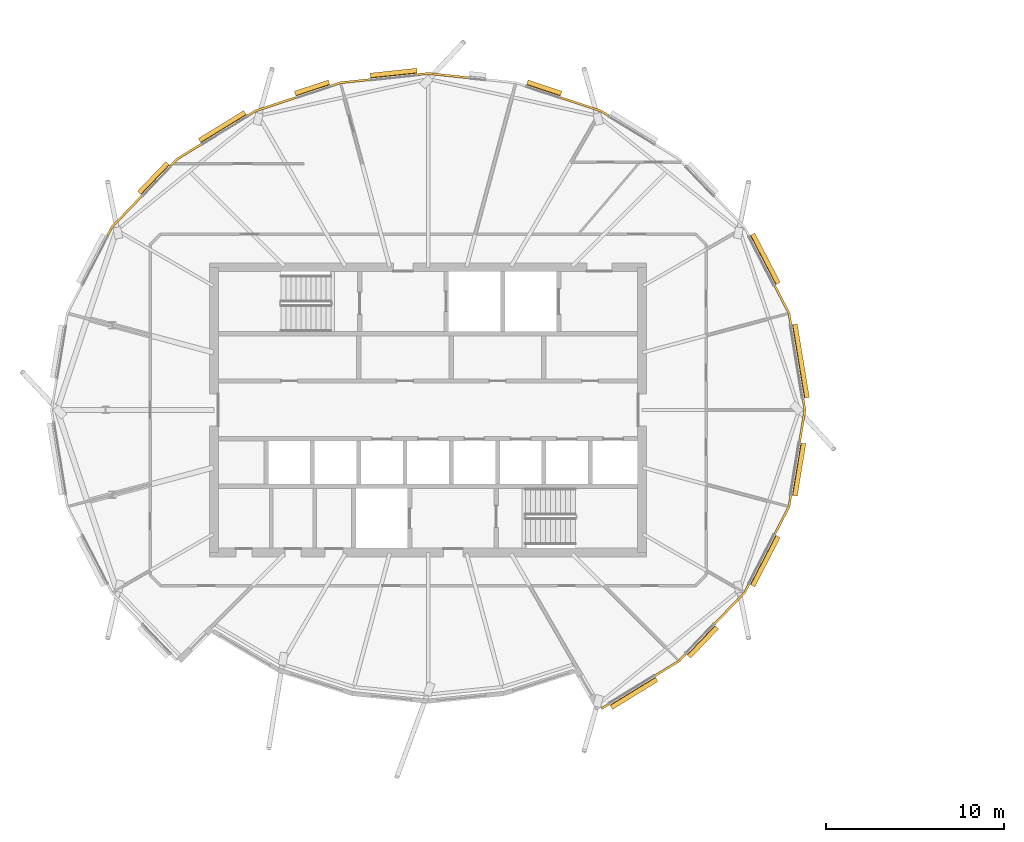
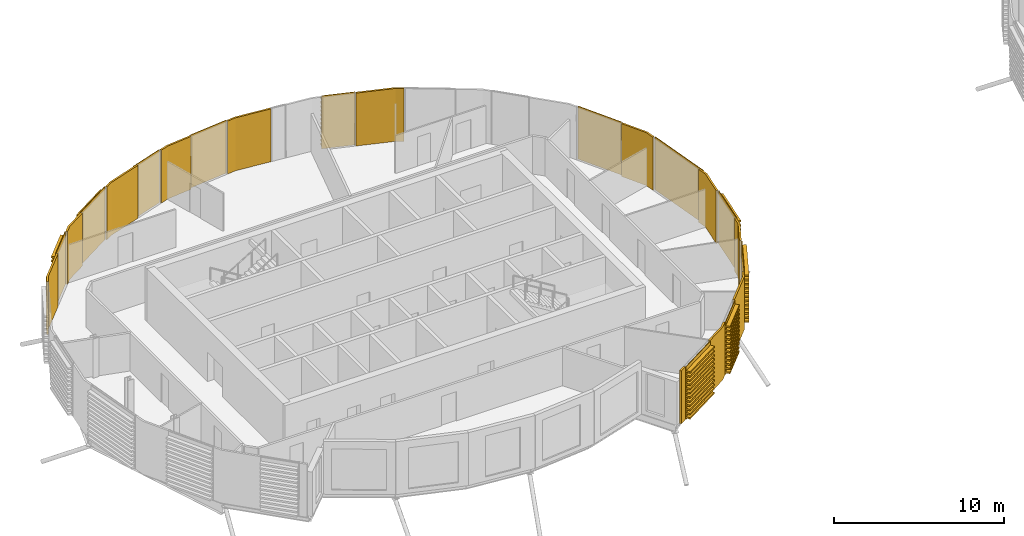
# One storey, part 37 of 41: 23 coverings.
"""IFC4 building model written with IfcOpenShell, lengths in metres."""

import ifcopenshell
import ifcopenshell.guid

model = None  # the IFC model being written
_history = None  # IfcOwnerHistory: only IFC2X3 demands one
_inside = {}  # id of a spatial element -> (the spatial element, [elements in it])
_under = {}  # id of a project, library or spatial element -> (it, [spatial elements below it])
_declared = {}  # id of a project -> (the project, [libraries it declares])
_typed = {}  # id of a type object -> (the type object, [elements of that type])
_made_of = {}  # id of a material, layer set ... -> (it, [elements and type objects made of it])


def new_model(schema):
    """Start an empty IFC model of exactly this schema.

    Asked for "IFC4X3", IfcOpenShell would pick the latest addendum, in which some entities
    have other attributes; the version numbers below select the first issue.
    IFC2X3 requires an IfcOwnerHistory on every rooted entity: one is made here for all.
    """
    global model, _history
    if schema == "IFC4X3":
        model = ifcopenshell.file(schema_version=(4, 3, 0, 0))
    else:
        model = ifcopenshell.file(schema=schema)
    _inside.clear()
    _under.clear()
    _declared.clear()
    _typed.clear()
    _made_of.clear()
    _history = None
    if model.schema == "IFC2X3":
        org = make("IfcOrganization", Name="unknown")
        user = make(
            "IfcPersonAndOrganization",
            ThePerson=make("IfcPerson", FamilyName="unknown"),
            TheOrganization=org,
        )
        app = make(
            "IfcApplication",
            ApplicationDeveloper=org,
            Version="unknown",
            ApplicationFullName="unknown",
            ApplicationIdentifier="unknown",
        )
        _history = make(
            "IfcOwnerHistory",
            OwningUser=user,
            OwningApplication=app,
            ChangeAction="ADDED",
            CreationDate=0,
        )
    return model


def make(cls, **values):
    """One entity of the class cls with the attributes given. An attribute that is None is left unset."""
    return model.create_entity(
        cls, **{name: value for name, value in values.items() if value is not None}
    )


def rooted(cls, **values):
    """An entity with a GlobalId (a new one), such as an element, a storey or a relation."""
    return make(cls, GlobalId=ifcopenshell.guid.new(), OwnerHistory=_history, **values)


def si_unit(unit_type, name, prefix=None):
    """IfcSIUnit, for example si_unit("LENGTHUNIT", "METRE", prefix="MILLI")."""
    return make("IfcSIUnit", UnitType=unit_type, Prefix=prefix, Name=name)


def assignment(units):
    """IfcUnitAssignment: the units of a project."""
    return None if units is None else make("IfcUnitAssignment", Units=units)


def point(xyz):
    """IfcCartesianPoint."""
    return None if xyz is None else make("IfcCartesianPoint", Coordinates=xyz)


def direction(xyz):
    """IfcDirection."""
    return None if xyz is None else make("IfcDirection", DirectionRatios=xyz)


def frame(location, z_axis=None, x_axis=None):
    """IfcAxis2Placement3D, a coordinate frame: its origin and axes. An axis left out is left unset."""
    return make(
        "IfcAxis2Placement3D",
        Location=point(location),
        Axis=direction(z_axis),
        RefDirection=direction(x_axis),
    )


def origin():
    """The frame at (0, 0, 0) with its axes left unset."""
    return frame((0.0, 0.0, 0.0))


def place(relative_to, where):
    """IfcLocalPlacement: puts the frame where relative to a parent placement (None: the world)."""
    return make(
        "IfcLocalPlacement", PlacementRelTo=relative_to, RelativePlacement=where
    )


def context(
    kind, dimensions, precision=None, world=None, true_north=None, identifier=None
):
    """IfcGeometricRepresentationContext, for example the 3D "Model" context."""
    return make(
        "IfcGeometricRepresentationContext",
        ContextIdentifier=identifier,
        ContextType=kind,
        CoordinateSpaceDimension=dimensions,
        Precision=precision,
        WorldCoordinateSystem=world,
        TrueNorth=true_north,
    )


def subcontext(parent, identifier, kind, view, scale=None):
    """IfcGeometricRepresentationSubContext, for example "Body" below "Model"."""
    return make(
        "IfcGeometricRepresentationSubContext",
        ContextIdentifier=identifier,
        ContextType=kind,
        ParentContext=parent,
        TargetScale=scale,
        TargetView=view,
    )


def project(units=None, contexts=None):
    """IfcProject with its units and contexts."""
    return rooted(
        "IfcProject",
        Name="project",
        RepresentationContexts=contexts,
        UnitsInContext=assignment(units),
    )


def spatial(cls, under=None, at=None, **own):
    """A site, building, storey or space (cls), placed at a placement, below another one or the project."""
    s = rooted(cls, ObjectPlacement=at, **own)
    if under is not None:
        _under.setdefault(under.id(), (under, []))[1].append(s)
    return s


def polyline(points):
    """IfcPolyline through the points."""
    return make("IfcPolyline", Points=[point(p) for p in points])


def outline(outer, holes=None, kind="AREA"):
    """IfcArbitraryClosedProfileDef: a profile drawn as a closed curve; with holes, ...WithVoids."""
    if holes is None:
        return make("IfcArbitraryClosedProfileDef", ProfileType=kind, OuterCurve=outer)
    return make(
        "IfcArbitraryProfileDefWithVoids",
        ProfileType=kind,
        OuterCurve=outer,
        InnerCurves=holes,
    )


def extrude(swept, where, along, depth):
    """IfcExtrudedAreaSolid: the profile swept, set in the frame where, extruded along a direction by depth."""
    return make(
        "IfcExtrudedAreaSolid",
        SweptArea=swept,
        Position=where,
        ExtrudedDirection=direction(along),
        Depth=depth,
    )


def shape(context_of_items, identifier, shape_type, items):
    """IfcShapeRepresentation: the items that make up one representation, for example the "Body"."""
    return make(
        "IfcShapeRepresentation",
        ContextOfItems=context_of_items,
        RepresentationIdentifier=identifier,
        RepresentationType=shape_type,
        Items=items,
    )


def material(Name=None, Category=None):
    """IfcMaterial."""
    return make("IfcMaterial", Name=Name, Category=Category)


def layer(
    of_material, thickness, ventilated=None, Name=None, Category=None, Priority=None
):
    """IfcMaterialLayer: one layer of a wall or slab, of a material (None: an air gap)."""
    return make(
        "IfcMaterialLayer",
        Material=of_material,
        LayerThickness=thickness,
        IsVentilated=ventilated,
        Name=Name,
        Category=Category,
        Priority=Priority,
    )


def layer_set(layers, Name=None):
    """IfcMaterialLayerSet."""
    return make("IfcMaterialLayerSet", MaterialLayers=layers, LayerSetName=Name)


def material_profile(
    of_material, cross_section, Name=None, Category=None, Priority=None
):
    """IfcMaterialProfile: a cross section and its material."""
    return make(
        "IfcMaterialProfile",
        Name=Name,
        Material=of_material,
        Profile=cross_section,
        Priority=Priority,
        Category=Category,
    )


def profile_set(profiles, Name=None, composite=None):
    """IfcMaterialProfileSet."""
    return make(
        "IfcMaterialProfileSet",
        Name=Name,
        MaterialProfiles=profiles,
        CompositeProfile=composite,
    )


def made_of(thing, what):
    """Note that an element or type object is made of a material, layer set ...; save() writes the relation."""
    if what is not None:
        _made_of.setdefault(what.id(), (what, []))[1].append(thing)
    return thing


def type_object(cls, material=None, **own):
    """A type object (cls), such as IfcWallType, which elements share."""
    return made_of(rooted(cls, **own), material)


def element(
    cls,
    number,
    at=None,
    inside=None,
    cuts=None,
    type_object=None,
    material=None,
    context=None,
    identifier="Body",
    shape_type=None,
    held_by="IfcProductDefinitionShape",
    body=None,
    shapes=None,
    **own,
):
    """One element of the class cls, such as IfcWall. Its Tag is "e" and its number.

    at: its placement. inside: the storey or other place that contains it. cuts: it is an
    opening in that element (IfcRelVoidsElement). A single representation is given by context,
    identifier, shape_type and body (its items); several are given by shapes. held_by: the class
    of the entity that holds the representations. save() writes the other relations.
    """
    e = rooted(cls, Tag="e%d" % number, ObjectPlacement=at, **own)
    if body is not None:
        shapes = [shape(context, identifier, shape_type, body)]
    if shapes is not None:
        e.Representation = make(held_by, Representations=shapes)
    if inside is not None:
        _inside.setdefault(inside.id(), (inside, []))[1].append(e)
    if cuts is not None:
        rooted(
            "IfcRelVoidsElement", RelatingBuildingElement=cuts, RelatedOpeningElement=e
        )
    if type_object is not None:
        _typed.setdefault(type_object.id(), (type_object, []))[1].append(e)
    return made_of(e, material)


def aggregate(whole, parts):
    """IfcRelAggregates: a whole, such as a stair, and the parts it consists of."""
    return rooted("IfcRelAggregates", RelatingObject=whole, RelatedObjects=parts)


def save(model, path):
    """Write the relations noted so far, then the file.

    IfcRelAggregates (storeys below a building ...), IfcRelContainedInSpatialStructure (elements
    in a storey), IfcRelDefinesByType, IfcRelAssociatesMaterial and IfcRelDeclares: one each for
    every whole, place, type object, material and project.
    """
    for whole, parts in _under.values():
        aggregate(whole, parts)
    for where, things in _inside.values():
        rooted(
            "IfcRelContainedInSpatialStructure",
            RelatedElements=things,
            RelatingStructure=where,
        )
    for kind, things in _typed.values():
        rooted("IfcRelDefinesByType", RelatedObjects=things, RelatingType=kind)
    for what, things in _made_of.values():
        rooted("IfcRelAssociatesMaterial", RelatedObjects=things, RelatingMaterial=what)
    for by, libraries in _declared.values():
        rooted("IfcRelDeclares", RelatingContext=by, RelatedDefinitions=libraries)
    model.write(path)


model = new_model("IFC4")

# Units and contexts
model_context = context("Model", 3, precision=1e-05, world=origin(), true_north=direction((0.0, 1.0)))
body_context = subcontext(model_context, "Body", "Model", "MODEL_VIEW")
ifc_project = project(units=[si_unit("LENGTHUNIT", "METRE"), si_unit("AREAUNIT", "SQUARE_METRE"), si_unit("VOLUMEUNIT", "CUBIC_METRE"), si_unit("PLANEANGLEUNIT", "RADIAN"), si_unit("MASSUNIT", "GRAM", prefix="KILO")], contexts=[model_context])

# Site, building, storey
site_placement = place(None, origin())
site = spatial("IfcSite", under=ifc_project, at=site_placement, CompositionType="ELEMENT")
building_placement = place(site_placement, origin())
building = spatial("IfcBuilding", under=site, at=building_placement, Name="Rimbun Link Towers", CompositionType="ELEMENT")
storey_placement = place(building_placement, frame((0.0, 0.0, 214.300048828125)))
storey = spatial("IfcBuildingStorey", under=building, at=storey_placement, Name="L52", CompositionType="ELEMENT", Elevation=214.300048828125)

# Coverings
ifc_material_1 = material(Name="Terracotta", Category="masonry")
ifc_layer = layer(ifc_material_1, 0.1201171875)
ifc_layer_set = layer_set([ifc_layer], Name="LINK PIER terracotta cladding 120")
covering_type_1 = type_object("IfcCoveringType", Name="LINK PIER terracotta cladding 120", PredefinedType="CLADDING", material=ifc_layer_set)
covering_1_placement = place(storey_placement, origin())
element("IfcCovering", 1, at=covering_1_placement, inside=storey, type_object=covering_type_1, Name="LINK PIER cladding", PredefinedType="CLADDING", context=body_context, shape_type="SweptSolid", body=[
    extrude(outline(polyline([(-10.790283203125, 0.61181640625), (-10.689697265625, 0.0), (-10.985107421875, -1.7958984375), (-10.86669921875, -1.8154296875), (-10.568115234375, 0.0), (-10.671875, 0.63134765625), (-10.790283203125, 0.61181640625)])), origin(), (0.0, 0.0, 1.0), 3.800048828125),
])
covering_2_placement = place(storey_placement, origin())
element("IfcCovering", 2, at=covering_2_placement, inside=storey, type_object=covering_type_1, Name="LINK PIER cladding", PredefinedType="CLADDING", context=body_context, shape_type="SweptSolid", body=[
    extrude(outline(polyline([(-12.369140625, 6.9326171875), (-11.57861328125, 5.40478515625), (-11.47802734375, 4.793212890625), (-11.359619140625, 4.8125), (-11.46337890625, 5.443115234375), (-12.262451171875, 6.987548828125), (-12.369140625, 6.9326171875)])), origin(), (0.0, 0.0, 1.0), 3.800048828125),
])
covering_3_placement = place(storey_placement, origin())
element("IfcCovering", 3, at=covering_3_placement, inside=storey, type_object=covering_type_1, Name="LINK PIER cladding", PredefinedType="CLADDING", context=body_context, shape_type="SweptSolid", body=[
    extrude(outline(polyline([(-24.35009765625, 17.459228515625), (-22.100341796875, 16.713623046875), (-21.6572265625, 16.441650390625), (-21.594482421875, 16.5439453125), (-22.04931640625, 16.8232421875), (-24.312255859375, 17.5732421875), (-24.35009765625, 17.459228515625)])), origin(), (0.0, 0.0, 1.0), 3.800048828125),
])
covering_4_placement = place(storey_placement, origin())
element("IfcCovering", 4, at=covering_4_placement, inside=storey, type_object=covering_type_1, Name="LINK PIER cladding", PredefinedType="CLADDING", context=body_context, shape_type="SweptSolid", body=[
    extrude(outline(polyline([(-32.31689453125, 18.743896484375), (-31.75, 18.8037109375), (-29.492431640625, 18.56591796875), (-29.47998046875, 18.685302734375), (-31.75, 18.92431640625), (-32.329345703125, 18.86328125), (-32.31689453125, 18.743896484375)])), origin(), (0.0, 0.0, 1.0), 3.800048828125),
])
covering_5_placement = place(storey_placement, origin())
element("IfcCovering", 5, at=covering_5_placement, inside=storey, type_object=covering_type_1, Name="LINK PIER cladding", PredefinedType="CLADDING", context=body_context, shape_type="SweptSolid", body=[
    extrude(outline(polyline([(-37.191162109375, 18.1083984375), (-36.650146484375, 18.28759765625), (-34.989501953125, 18.462646484375), (-35.001953125, 18.58203125), (-36.675537109375, 18.40576171875), (-37.22900390625, 18.222412109375), (-37.191162109375, 18.1083984375)])), origin(), (0.0, 0.0, 1.0), 3.800048828125),
])
covering_6_placement = place(storey_placement, origin())
element("IfcCovering", 6, at=covering_6_placement, inside=storey, type_object=covering_type_1, Name="LINK PIER cladding", PredefinedType="CLADDING", context=body_context, shape_type="SweptSolid", body=[
    extrude(outline(polyline([(-41.8427734375, 16.441650390625), (-41.399658203125, 16.713623046875), (-39.14990234375, 17.459228515625), (-39.187744140625, 17.5732421875), (-41.45068359375, 16.8232421875), (-41.905517578125, 16.5439453125), (-41.8427734375, 16.441650390625)])), origin(), (0.0, 0.0, 1.0), 3.800048828125),
])
covering_7_placement = place(storey_placement, origin())
element("IfcCovering", 7, at=covering_7_placement, inside=storey, type_object=covering_type_1, Name="LINK PIER cladding", PredefinedType="CLADDING", context=body_context, shape_type="SweptSolid", body=[
    extrude(outline(polyline([(-46.13623046875, 13.651123046875), (-45.7763671875, 14.0263671875), (-44.4384765625, 14.847900390625), (-44.501220703125, 14.9501953125), (-45.852294921875, 14.12060546875), (-46.222900390625, 13.734130859375), (-46.13623046875, 13.651123046875)])), origin(), (0.0, 0.0, 1.0), 3.800048828125),
])
covering_8_placement = place(storey_placement, origin())
element("IfcCovering", 8, at=covering_8_placement, inside=storey, type_object=covering_type_1, Name="LINK PIER cladding", PredefinedType="CLADDING", context=body_context, shape_type="SweptSolid", body=[
    extrude(outline(polyline([(-49.673828125, 9.74853515625), (-49.434814453125, 10.21044921875), (-47.760009765625, 11.957275390625), (-47.8466796875, 12.040283203125), (-49.533447265625, 10.281005859375), (-49.780517578125, 9.8037109375), (-49.673828125, 9.74853515625)])), origin(), (0.0, 0.0, 1.0), 3.800048828125),
])
covering_9_placement = place(storey_placement, origin())
element("IfcCovering", 9, at=covering_9_placement, inside=storey, type_object=covering_type_1, Name="LINK PIER cladding", PredefinedType="CLADDING", context=body_context, shape_type="SweptSolid", body=[
    extrude(outline(polyline([(-21.6572265625, -16.441650390625), (-22.07470703125, -16.697998046875), (-22.011962890625, -16.80029296875), (-21.594482421875, -16.5439453125), (-21.6572265625, -16.441650390625)])), origin(), (0.0, 0.0, 1.0), 3.800048828125),
])
covering_10_placement = place(storey_placement, origin())
element("IfcCovering", 10, at=covering_10_placement, inside=storey, type_object=covering_type_1, Name="LINK PIER cladding", PredefinedType="CLADDING", context=body_context, shape_type="SweptSolid", body=[
    extrude(outline(polyline([(-17.36376953125, -13.651123046875), (-17.7236328125, -14.0263671875), (-19.0615234375, -14.847900390625), (-18.998779296875, -14.9501953125), (-17.647705078125, -14.12060546875), (-17.277099609375, -13.734130859375), (-17.36376953125, -13.651123046875)])), origin(), (0.0, 0.0, 1.0), 3.800048828125),
])
covering_11_placement = place(storey_placement, origin())
element("IfcCovering", 11, at=covering_11_placement, inside=storey, type_object=covering_type_1, Name="LINK PIER cladding", PredefinedType="CLADDING", context=body_context, shape_type="SweptSolid", body=[
    extrude(outline(polyline([(-13.826171875, -9.74853515625), (-14.065185546875, -10.21044921875), (-15.739990234375, -11.957275390625), (-15.6533203125, -12.040283203125), (-13.966552734375, -10.281005859375), (-13.719482421875, -9.8037109375), (-13.826171875, -9.74853515625)])), origin(), (0.0, 0.0, 1.0), 3.800048828125),
])
covering_12_placement = place(storey_placement, origin())
element("IfcCovering", 12, at=covering_12_placement, inside=storey, type_object=covering_type_1, Name="LINK PIER cladding", PredefinedType="CLADDING", context=body_context, shape_type="SweptSolid", body=[
    extrude(outline(polyline([(-11.47802734375, -4.793212890625), (-11.57861328125, -5.40478515625), (-12.369140625, -6.9326171875), (-12.262451171875, -6.987548828125), (-11.46337890625, -5.443115234375), (-11.359619140625, -4.8125), (-11.47802734375, -4.793212890625)])), origin(), (0.0, 0.0, 1.0), 3.800048828125),
])
ifc_material_2 = material(Name="Terracotta", Category="masonry")
ifc_material_profile = material_profile(ifc_material_2, outline(polyline([(0.123046875, 0.0), (0.1630859375, 0.0), (0.1630859375, 0.10009765625), (0.423095703125, 0.10009765625), (0.423095703125, 0.219970703125), (0.1630859375, 0.219970703125), (0.1630859375, 0.39990234375), (0.423095703125, 0.39990234375), (0.423095703125, 0.52001953125), (0.1630859375, 0.52001953125), (0.1630859375, 0.699951171875), (0.423095703125, 0.699951171875), (0.423095703125, 0.820068359375), (0.1630859375, 0.820068359375), (0.1630859375, 1.0), (0.423095703125, 1.0), (0.423095703125, 1.1201171875), (0.1630859375, 1.1201171875), (0.1630859375, 1.300048828125), (0.423095703125, 1.300048828125), (0.423095703125, 1.419921875), (0.1630859375, 1.419921875), (0.1630859375, 1.60009765625), (0.423095703125, 1.60009765625), (0.423095703125, 1.719970703125), (0.1630859375, 1.719970703125), (0.1630859375, 1.89990234375), (0.423095703125, 1.89990234375), (0.423095703125, 2.02001953125), (0.1630859375, 2.02001953125), (0.1630859375, 2.199951171875), (0.423095703125, 2.199951171875), (0.423095703125, 2.320068359375), (0.1630859375, 2.320068359375), (0.1630859375, 2.5), (0.423095703125, 2.5), (0.423095703125, 2.6201171875), (0.1630859375, 2.6201171875), (0.1630859375, 2.800048828125), (0.423095703125, 2.800048828125), (0.423095703125, 2.919921875), (0.1630859375, 2.919921875), (0.1630859375, 3.10009765625), (0.423095703125, 3.10009765625), (0.423095703125, 3.219970703125), (0.1630859375, 3.219970703125), (0.1630859375, 3.39990234375), (0.423095703125, 3.39990234375), (0.423095703125, 3.52001953125), (0.1630859375, 3.52001953125), (0.1630859375, 3.800048828125), (0.123046875, 3.800048828125), (0.123046875, 0.0)])), Name="BAGUETTE 120X300")
ifc_profile_set = profile_set([ifc_material_profile], Name="Terracotta")
covering_type_2 = type_object("IfcCoveringType", Name="TERRACOTTA BAGUETTE 120X300 H3800", PredefinedType="CLADDING", material=ifc_profile_set)
covering_13_placement = place(storey_placement, frame((-11.47314453125, 4.763427734375, 0.0), z_axis=(0.162294685122, -0.986742334747, 0.0), x_axis=(0.986742334747, 0.162294685122, 0.0)))
element("IfcCovering", 13, at=covering_13_placement, inside=storey, type_object=covering_type_2, Name="TERRACOTTA BAGUETTE", PredefinedType="CLADDING", context=body_context, shape_type="SweptSolid", body=[
    extrude(outline(polyline([(0.123046875, 0.0), (0.1630859375, 0.0), (0.1630859375, 0.10009765625), (0.423095703125, 0.10009765625), (0.423095703125, 0.219970703125), (0.1630859375, 0.219970703125), (0.1630859375, 0.39990234375), (0.423095703125, 0.39990234375), (0.423095703125, 0.52001953125), (0.1630859375, 0.52001953125), (0.1630859375, 0.699951171875), (0.423095703125, 0.699951171875), (0.423095703125, 0.820068359375), (0.1630859375, 0.820068359375), (0.1630859375, 1.0), (0.423095703125, 1.0), (0.423095703125, 1.1201171875), (0.1630859375, 1.1201171875), (0.1630859375, 1.300048828125), (0.423095703125, 1.300048828125), (0.423095703125, 1.419921875), (0.1630859375, 1.419921875), (0.1630859375, 1.60009765625), (0.423095703125, 1.60009765625), (0.423095703125, 1.719970703125), (0.1630859375, 1.719970703125), (0.1630859375, 1.89990234375), (0.423095703125, 1.89990234375), (0.423095703125, 2.02001953125), (0.1630859375, 2.02001953125), (0.1630859375, 2.199951171875), (0.423095703125, 2.199951171875), (0.423095703125, 2.320068359375), (0.1630859375, 2.320068359375), (0.1630859375, 2.5), (0.423095703125, 2.5), (0.423095703125, 2.6201171875), (0.1630859375, 2.6201171875), (0.1630859375, 2.800048828125), (0.423095703125, 2.800048828125), (0.423095703125, 2.919921875), (0.1630859375, 2.919921875), (0.1630859375, 3.10009765625), (0.423095703125, 3.10009765625), (0.423095703125, 3.219970703125), (0.1630859375, 3.219970703125), (0.1630859375, 3.39990234375), (0.423095703125, 3.39990234375), (0.423095703125, 3.52001953125), (0.1630859375, 3.52001953125), (0.1630859375, 3.800048828125), (0.123046875, 3.800048828125), (0.123046875, 0.0)])), origin(), (0.0, 0.0, 1.0), 4.177490234375),
])
covering_14_placement = place(storey_placement, frame((-13.812255859375, 9.721923828125, 0.0), z_axis=(0.459540350584, -0.888156892776, 0.0), x_axis=(0.888156892776, 0.459540350584, 0.0)))
element("IfcCovering", 14, at=covering_14_placement, inside=storey, type_object=covering_type_2, Name="TERRACOTTA BAGUETTE", PredefinedType="CLADDING", context=body_context, shape_type="SweptSolid", body=[
    extrude(outline(polyline([(0.123046875, 0.0), (0.1630859375, 0.0), (0.1630859375, 0.10009765625), (0.423095703125, 0.10009765625), (0.423095703125, 0.219970703125), (0.1630859375, 0.219970703125), (0.1630859375, 0.39990234375), (0.423095703125, 0.39990234375), (0.423095703125, 0.52001953125), (0.1630859375, 0.52001953125), (0.1630859375, 0.699951171875), (0.423095703125, 0.699951171875), (0.423095703125, 0.820068359375), (0.1630859375, 0.820068359375), (0.1630859375, 1.0), (0.423095703125, 1.0), (0.423095703125, 1.1201171875), (0.1630859375, 1.1201171875), (0.1630859375, 1.300048828125), (0.423095703125, 1.300048828125), (0.423095703125, 1.419921875), (0.1630859375, 1.419921875), (0.1630859375, 1.60009765625), (0.423095703125, 1.60009765625), (0.423095703125, 1.719970703125), (0.1630859375, 1.719970703125), (0.1630859375, 1.89990234375), (0.423095703125, 1.89990234375), (0.423095703125, 2.02001953125), (0.1630859375, 2.02001953125), (0.1630859375, 2.199951171875), (0.423095703125, 2.199951171875), (0.423095703125, 2.320068359375), (0.1630859375, 2.320068359375), (0.1630859375, 2.5), (0.423095703125, 2.5), (0.423095703125, 2.6201171875), (0.1630859375, 2.6201171875), (0.1630859375, 2.800048828125), (0.423095703125, 2.800048828125), (0.423095703125, 2.919921875), (0.1630859375, 2.919921875), (0.1630859375, 3.10009765625), (0.423095703125, 3.10009765625), (0.423095703125, 3.219970703125), (0.1630859375, 3.219970703125), (0.1630859375, 3.39990234375), (0.423095703125, 3.39990234375), (0.423095703125, 3.52001953125), (0.1630859375, 3.52001953125), (0.1630859375, 3.800048828125), (0.123046875, 3.800048828125), (0.123046875, 0.0)])), origin(), (0.0, 0.0, 1.0), 3.110595703125),
])
covering_15_placement = place(storey_placement, frame((-26.2802734375, 18.098876953125, 0.0), z_axis=(0.949254463086, -0.314509084625, 0.0), x_axis=(0.314509084625, 0.949254463086, 0.0)))
element("IfcCovering", 15, at=covering_15_placement, inside=storey, type_object=covering_type_2, Name="TERRACOTTA BAGUETTE", PredefinedType="CLADDING", context=body_context, shape_type="SweptSolid", body=[
    extrude(outline(polyline([(0.123046875, 0.0), (0.1630859375, 0.0), (0.1630859375, 0.10009765625), (0.423095703125, 0.10009765625), (0.423095703125, 0.219970703125), (0.1630859375, 0.219970703125), (0.1630859375, 0.39990234375), (0.423095703125, 0.39990234375), (0.423095703125, 0.52001953125), (0.1630859375, 0.52001953125), (0.1630859375, 0.699951171875), (0.423095703125, 0.699951171875), (0.423095703125, 0.820068359375), (0.1630859375, 0.820068359375), (0.1630859375, 1.0), (0.423095703125, 1.0), (0.423095703125, 1.1201171875), (0.1630859375, 1.1201171875), (0.1630859375, 1.300048828125), (0.423095703125, 1.300048828125), (0.423095703125, 1.419921875), (0.1630859375, 1.419921875), (0.1630859375, 1.60009765625), (0.423095703125, 1.60009765625), (0.423095703125, 1.719970703125), (0.1630859375, 1.719970703125), (0.1630859375, 1.89990234375), (0.423095703125, 1.89990234375), (0.423095703125, 2.02001953125), (0.1630859375, 2.02001953125), (0.1630859375, 2.199951171875), (0.423095703125, 2.199951171875), (0.423095703125, 2.320068359375), (0.1630859375, 2.320068359375), (0.1630859375, 2.5), (0.423095703125, 2.5), (0.423095703125, 2.6201171875), (0.1630859375, 2.6201171875), (0.1630859375, 2.800048828125), (0.423095703125, 2.800048828125), (0.423095703125, 2.919921875), (0.1630859375, 2.919921875), (0.1630859375, 3.10009765625), (0.423095703125, 3.10009765625), (0.423095703125, 3.219970703125), (0.1630859375, 3.219970703125), (0.1630859375, 3.39990234375), (0.423095703125, 3.39990234375), (0.423095703125, 3.52001953125), (0.1630859375, 3.52001953125), (0.1630859375, 3.800048828125), (0.123046875, 3.800048828125), (0.123046875, 0.0)])), origin(), (0.0, 0.0, 1.0), 2.00341796875),
])
covering_16_placement = place(storey_placement, frame((-34.95947265625, 18.4658203125, 0.0), z_axis=(0.994500869285, 0.104728319911, 0.0), x_axis=(-0.104728319911, 0.994500869285, 0.0)))
element("IfcCovering", 16, at=covering_16_placement, inside=storey, type_object=covering_type_2, Name="TERRACOTTA BAGUETTE", PredefinedType="CLADDING", context=body_context, shape_type="SweptSolid", body=[
    extrude(outline(polyline([(0.123046875, 0.0), (0.1630859375, 0.0), (0.1630859375, 0.10009765625), (0.423095703125, 0.10009765625), (0.423095703125, 0.219970703125), (0.1630859375, 0.219970703125), (0.1630859375, 0.39990234375), (0.423095703125, 0.39990234375), (0.423095703125, 0.52001953125), (0.1630859375, 0.52001953125), (0.1630859375, 0.699951171875), (0.423095703125, 0.699951171875), (0.423095703125, 0.820068359375), (0.1630859375, 0.820068359375), (0.1630859375, 1.0), (0.423095703125, 1.0), (0.423095703125, 1.1201171875), (0.1630859375, 1.1201171875), (0.1630859375, 1.300048828125), (0.423095703125, 1.300048828125), (0.423095703125, 1.419921875), (0.1630859375, 1.419921875), (0.1630859375, 1.60009765625), (0.423095703125, 1.60009765625), (0.423095703125, 1.719970703125), (0.1630859375, 1.719970703125), (0.1630859375, 1.89990234375), (0.423095703125, 1.89990234375), (0.423095703125, 2.02001953125), (0.1630859375, 2.02001953125), (0.1630859375, 2.199951171875), (0.423095703125, 2.199951171875), (0.423095703125, 2.320068359375), (0.1630859375, 2.320068359375), (0.1630859375, 2.5), (0.423095703125, 2.5), (0.423095703125, 2.6201171875), (0.1630859375, 2.6201171875), (0.1630859375, 2.800048828125), (0.423095703125, 2.800048828125), (0.423095703125, 2.919921875), (0.1630859375, 2.919921875), (0.1630859375, 3.10009765625), (0.423095703125, 3.10009765625), (0.423095703125, 3.219970703125), (0.1630859375, 3.219970703125), (0.1630859375, 3.39990234375), (0.423095703125, 3.39990234375), (0.423095703125, 3.52001953125), (0.1630859375, 3.52001953125), (0.1630859375, 3.800048828125), (0.123046875, 3.800048828125), (0.123046875, 0.0)])), origin(), (0.0, 0.0, 1.0), 2.627197265625),
])
covering_17_placement = place(storey_placement, frame((-39.12158203125, 17.46875, 0.0), z_axis=(0.949254463086, 0.314509084625, 0.0), x_axis=(-0.314509084625, 0.949254463086, 0.0)))
element("IfcCovering", 17, at=covering_17_placement, inside=storey, type_object=covering_type_2, Name="TERRACOTTA BAGUETTE", PredefinedType="CLADDING", context=body_context, shape_type="SweptSolid", body=[
    extrude(outline(polyline([(0.123046875, 0.0), (0.1630859375, 0.0), (0.1630859375, 0.10009765625), (0.423095703125, 0.10009765625), (0.423095703125, 0.219970703125), (0.1630859375, 0.219970703125), (0.1630859375, 0.39990234375), (0.423095703125, 0.39990234375), (0.423095703125, 0.52001953125), (0.1630859375, 0.52001953125), (0.1630859375, 0.699951171875), (0.423095703125, 0.699951171875), (0.423095703125, 0.820068359375), (0.1630859375, 0.820068359375), (0.1630859375, 1.0), (0.423095703125, 1.0), (0.423095703125, 1.1201171875), (0.1630859375, 1.1201171875), (0.1630859375, 1.300048828125), (0.423095703125, 1.300048828125), (0.423095703125, 1.419921875), (0.1630859375, 1.419921875), (0.1630859375, 1.60009765625), (0.423095703125, 1.60009765625), (0.423095703125, 1.719970703125), (0.1630859375, 1.719970703125), (0.1630859375, 1.89990234375), (0.423095703125, 1.89990234375), (0.423095703125, 2.02001953125), (0.1630859375, 2.02001953125), (0.1630859375, 2.199951171875), (0.423095703125, 2.199951171875), (0.423095703125, 2.320068359375), (0.1630859375, 2.320068359375), (0.1630859375, 2.5), (0.423095703125, 2.5), (0.423095703125, 2.6201171875), (0.1630859375, 2.6201171875), (0.1630859375, 2.800048828125), (0.423095703125, 2.800048828125), (0.423095703125, 2.919921875), (0.1630859375, 2.919921875), (0.1630859375, 3.10009765625), (0.423095703125, 3.10009765625), (0.423095703125, 3.219970703125), (0.1630859375, 3.219970703125), (0.1630859375, 3.39990234375), (0.423095703125, 3.39990234375), (0.423095703125, 3.52001953125), (0.1630859375, 3.52001953125), (0.1630859375, 3.800048828125), (0.123046875, 3.800048828125), (0.123046875, 0.0)])), origin(), (0.0, 0.0, 1.0), 2.00341796875),
])
covering_18_placement = place(storey_placement, frame((-44.412841796875, 14.863525390625, 0.0), z_axis=(0.852152035837, 0.523294284145, 0.0), x_axis=(-0.523294284145, 0.852152035837, 0.0)))
element("IfcCovering", 18, at=covering_18_placement, inside=storey, type_object=covering_type_2, Name="TERRACOTTA BAGUETTE", PredefinedType="CLADDING", context=body_context, shape_type="SweptSolid", body=[
    extrude(outline(polyline([(0.123046875, 0.0), (0.1630859375, 0.0), (0.1630859375, 0.10009765625), (0.423095703125, 0.10009765625), (0.423095703125, 0.219970703125), (0.1630859375, 0.219970703125), (0.1630859375, 0.39990234375), (0.423095703125, 0.39990234375), (0.423095703125, 0.52001953125), (0.1630859375, 0.52001953125), (0.1630859375, 0.699951171875), (0.423095703125, 0.699951171875), (0.423095703125, 0.820068359375), (0.1630859375, 0.820068359375), (0.1630859375, 1.0), (0.423095703125, 1.0), (0.423095703125, 1.1201171875), (0.1630859375, 1.1201171875), (0.1630859375, 1.300048828125), (0.423095703125, 1.300048828125), (0.423095703125, 1.419921875), (0.1630859375, 1.419921875), (0.1630859375, 1.60009765625), (0.423095703125, 1.60009765625), (0.423095703125, 1.719970703125), (0.1630859375, 1.719970703125), (0.1630859375, 1.89990234375), (0.423095703125, 1.89990234375), (0.423095703125, 2.02001953125), (0.1630859375, 2.02001953125), (0.1630859375, 2.199951171875), (0.423095703125, 2.199951171875), (0.423095703125, 2.320068359375), (0.1630859375, 2.320068359375), (0.1630859375, 2.5), (0.423095703125, 2.5), (0.423095703125, 2.6201171875), (0.1630859375, 2.6201171875), (0.1630859375, 2.800048828125), (0.423095703125, 2.800048828125), (0.423095703125, 2.919921875), (0.1630859375, 2.919921875), (0.1630859375, 3.10009765625), (0.423095703125, 3.10009765625), (0.423095703125, 3.219970703125), (0.1630859375, 3.219970703125), (0.1630859375, 3.39990234375), (0.423095703125, 3.39990234375), (0.423095703125, 3.52001953125), (0.1630859375, 3.52001953125), (0.1630859375, 3.800048828125), (0.123046875, 3.800048828125), (0.123046875, 0.0)])), origin(), (0.0, 0.0, 1.0), 2.98583984375),
])
covering_19_placement = place(storey_placement, frame((-47.7392578125, 11.97900390625, 0.0), z_axis=(0.692053780348, 0.721845942779, 0.0), x_axis=(-0.721845942779, 0.692053780348, 0.0)))
element("IfcCovering", 19, at=covering_19_placement, inside=storey, type_object=covering_type_2, Name="TERRACOTTA BAGUETTE", PredefinedType="CLADDING", context=body_context, shape_type="SweptSolid", body=[
    extrude(outline(polyline([(0.123046875, 0.0), (0.1630859375, 0.0), (0.1630859375, 0.10009765625), (0.423095703125, 0.10009765625), (0.423095703125, 0.219970703125), (0.1630859375, 0.219970703125), (0.1630859375, 0.39990234375), (0.423095703125, 0.39990234375), (0.423095703125, 0.52001953125), (0.1630859375, 0.52001953125), (0.1630859375, 0.699951171875), (0.423095703125, 0.699951171875), (0.423095703125, 0.820068359375), (0.1630859375, 0.820068359375), (0.1630859375, 1.0), (0.423095703125, 1.0), (0.423095703125, 1.1201171875), (0.1630859375, 1.1201171875), (0.1630859375, 1.300048828125), (0.423095703125, 1.300048828125), (0.423095703125, 1.419921875), (0.1630859375, 1.419921875), (0.1630859375, 1.60009765625), (0.423095703125, 1.60009765625), (0.423095703125, 1.719970703125), (0.1630859375, 1.719970703125), (0.1630859375, 1.89990234375), (0.423095703125, 1.89990234375), (0.423095703125, 2.02001953125), (0.1630859375, 2.02001953125), (0.1630859375, 2.199951171875), (0.423095703125, 2.199951171875), (0.423095703125, 2.320068359375), (0.1630859375, 2.320068359375), (0.1630859375, 2.5), (0.423095703125, 2.5), (0.423095703125, 2.6201171875), (0.1630859375, 2.6201171875), (0.1630859375, 2.800048828125), (0.423095703125, 2.800048828125), (0.423095703125, 2.919921875), (0.1630859375, 2.919921875), (0.1630859375, 3.10009765625), (0.423095703125, 3.10009765625), (0.423095703125, 3.219970703125), (0.1630859375, 3.219970703125), (0.1630859375, 3.39990234375), (0.423095703125, 3.39990234375), (0.423095703125, 3.52001953125), (0.1630859375, 3.52001953125), (0.1630859375, 3.800048828125), (0.123046875, 3.800048828125), (0.123046875, 0.0)])), origin(), (0.0, 0.0, 1.0), 2.286376953125),
])
covering_20_placement = place(storey_placement, frame((-19.087158203125, -14.863525390625, 0.0), z_axis=(-0.852152035837, -0.523294284145, 0.0), x_axis=(0.523294284145, -0.852152035837, 0.0)))
element("IfcCovering", 20, at=covering_20_placement, inside=storey, type_object=covering_type_2, Name="TERRACOTTA BAGUETTE", PredefinedType="CLADDING", context=body_context, shape_type="SweptSolid", body=[
    extrude(outline(polyline([(0.123046875, 0.0), (0.1630859375, 0.0), (0.1630859375, 0.10009765625), (0.423095703125, 0.10009765625), (0.423095703125, 0.219970703125), (0.1630859375, 0.219970703125), (0.1630859375, 0.39990234375), (0.423095703125, 0.39990234375), (0.423095703125, 0.52001953125), (0.1630859375, 0.52001953125), (0.1630859375, 0.699951171875), (0.423095703125, 0.699951171875), (0.423095703125, 0.820068359375), (0.1630859375, 0.820068359375), (0.1630859375, 1.0), (0.423095703125, 1.0), (0.423095703125, 1.1201171875), (0.1630859375, 1.1201171875), (0.1630859375, 1.300048828125), (0.423095703125, 1.300048828125), (0.423095703125, 1.419921875), (0.1630859375, 1.419921875), (0.1630859375, 1.60009765625), (0.423095703125, 1.60009765625), (0.423095703125, 1.719970703125), (0.1630859375, 1.719970703125), (0.1630859375, 1.89990234375), (0.423095703125, 1.89990234375), (0.423095703125, 2.02001953125), (0.1630859375, 2.02001953125), (0.1630859375, 2.199951171875), (0.423095703125, 2.199951171875), (0.423095703125, 2.320068359375), (0.1630859375, 2.320068359375), (0.1630859375, 2.5), (0.423095703125, 2.5), (0.423095703125, 2.6201171875), (0.1630859375, 2.6201171875), (0.1630859375, 2.800048828125), (0.423095703125, 2.800048828125), (0.423095703125, 2.919921875), (0.1630859375, 2.919921875), (0.1630859375, 3.10009765625), (0.423095703125, 3.10009765625), (0.423095703125, 3.219970703125), (0.1630859375, 3.219970703125), (0.1630859375, 3.39990234375), (0.423095703125, 3.39990234375), (0.423095703125, 3.52001953125), (0.1630859375, 3.52001953125), (0.1630859375, 3.800048828125), (0.123046875, 3.800048828125), (0.123046875, 0.0)])), origin(), (0.0, 0.0, 1.0), 2.98583984375),
])
covering_21_placement = place(storey_placement, frame((-15.7607421875, -11.97900390625, 0.0), z_axis=(-0.692053780348, -0.721845942779, 0.0), x_axis=(0.721845942779, -0.692053780348, 0.0)))
element("IfcCovering", 21, at=covering_21_placement, inside=storey, type_object=covering_type_2, Name="TERRACOTTA BAGUETTE", PredefinedType="CLADDING", context=body_context, shape_type="SweptSolid", body=[
    extrude(outline(polyline([(0.123046875, 0.0), (0.1630859375, 0.0), (0.1630859375, 0.10009765625), (0.423095703125, 0.10009765625), (0.423095703125, 0.219970703125), (0.1630859375, 0.219970703125), (0.1630859375, 0.39990234375), (0.423095703125, 0.39990234375), (0.423095703125, 0.52001953125), (0.1630859375, 0.52001953125), (0.1630859375, 0.699951171875), (0.423095703125, 0.699951171875), (0.423095703125, 0.820068359375), (0.1630859375, 0.820068359375), (0.1630859375, 1.0), (0.423095703125, 1.0), (0.423095703125, 1.1201171875), (0.1630859375, 1.1201171875), (0.1630859375, 1.300048828125), (0.423095703125, 1.300048828125), (0.423095703125, 1.419921875), (0.1630859375, 1.419921875), (0.1630859375, 1.60009765625), (0.423095703125, 1.60009765625), (0.423095703125, 1.719970703125), (0.1630859375, 1.719970703125), (0.1630859375, 1.89990234375), (0.423095703125, 1.89990234375), (0.423095703125, 2.02001953125), (0.1630859375, 2.02001953125), (0.1630859375, 2.199951171875), (0.423095703125, 2.199951171875), (0.423095703125, 2.320068359375), (0.1630859375, 2.320068359375), (0.1630859375, 2.5), (0.423095703125, 2.5), (0.423095703125, 2.6201171875), (0.1630859375, 2.6201171875), (0.1630859375, 2.800048828125), (0.423095703125, 2.800048828125), (0.423095703125, 2.919921875), (0.1630859375, 2.919921875), (0.1630859375, 3.10009765625), (0.423095703125, 3.10009765625), (0.423095703125, 3.219970703125), (0.1630859375, 3.219970703125), (0.1630859375, 3.39990234375), (0.423095703125, 3.39990234375), (0.423095703125, 3.52001953125), (0.1630859375, 3.52001953125), (0.1630859375, 3.800048828125), (0.123046875, 3.800048828125), (0.123046875, 0.0)])), origin(), (0.0, 0.0, 1.0), 2.286376953125),
])
covering_22_placement = place(storey_placement, frame((-12.3828125, -6.959228515625, 0.0), z_axis=(-0.459540350584, -0.888156892776, 0.0), x_axis=(0.888156892776, -0.459540350584, 0.0)))
element("IfcCovering", 22, at=covering_22_placement, inside=storey, type_object=covering_type_2, Name="TERRACOTTA BAGUETTE", PredefinedType="CLADDING", context=body_context, shape_type="SweptSolid", body=[
    extrude(outline(polyline([(0.123046875, 0.0), (0.1630859375, 0.0), (0.1630859375, 0.10009765625), (0.423095703125, 0.10009765625), (0.423095703125, 0.219970703125), (0.1630859375, 0.219970703125), (0.1630859375, 0.39990234375), (0.423095703125, 0.39990234375), (0.423095703125, 0.52001953125), (0.1630859375, 0.52001953125), (0.1630859375, 0.699951171875), (0.423095703125, 0.699951171875), (0.423095703125, 0.820068359375), (0.1630859375, 0.820068359375), (0.1630859375, 1.0), (0.423095703125, 1.0), (0.423095703125, 1.1201171875), (0.1630859375, 1.1201171875), (0.1630859375, 1.300048828125), (0.423095703125, 1.300048828125), (0.423095703125, 1.419921875), (0.1630859375, 1.419921875), (0.1630859375, 1.60009765625), (0.423095703125, 1.60009765625), (0.423095703125, 1.719970703125), (0.1630859375, 1.719970703125), (0.1630859375, 1.89990234375), (0.423095703125, 1.89990234375), (0.423095703125, 2.02001953125), (0.1630859375, 2.02001953125), (0.1630859375, 2.199951171875), (0.423095703125, 2.199951171875), (0.423095703125, 2.320068359375), (0.1630859375, 2.320068359375), (0.1630859375, 2.5), (0.423095703125, 2.5), (0.423095703125, 2.6201171875), (0.1630859375, 2.6201171875), (0.1630859375, 2.800048828125), (0.423095703125, 2.800048828125), (0.423095703125, 2.919921875), (0.1630859375, 2.919921875), (0.1630859375, 3.10009765625), (0.423095703125, 3.10009765625), (0.423095703125, 3.219970703125), (0.1630859375, 3.219970703125), (0.1630859375, 3.39990234375), (0.423095703125, 3.39990234375), (0.423095703125, 3.52001953125), (0.1630859375, 3.52001953125), (0.1630859375, 3.800048828125), (0.123046875, 3.800048828125), (0.123046875, 0.0)])), origin(), (0.0, 0.0, 1.0), 3.110595703125),
])
covering_23_placement = place(storey_placement, frame((-10.989990234375, -1.825439453125, 0.0), z_axis=(-0.162271127458, -0.98674620911, 0.0), x_axis=(0.98674620911, -0.162271127458, 0.0)))
element("IfcCovering", 23, at=covering_23_placement, inside=storey, type_object=covering_type_2, Name="TERRACOTTA BAGUETTE", PredefinedType="CLADDING", context=body_context, shape_type="SweptSolid", body=[
    extrude(outline(polyline([(0.123046875, 0.0), (0.1630859375, 0.0), (0.1630859375, 0.10009765625), (0.423095703125, 0.10009765625), (0.423095703125, 0.219970703125), (0.1630859375, 0.219970703125), (0.1630859375, 0.39990234375), (0.423095703125, 0.39990234375), (0.423095703125, 0.52001953125), (0.1630859375, 0.52001953125), (0.1630859375, 0.699951171875), (0.423095703125, 0.699951171875), (0.423095703125, 0.820068359375), (0.1630859375, 0.820068359375), (0.1630859375, 1.0), (0.423095703125, 1.0), (0.423095703125, 1.1201171875), (0.1630859375, 1.1201171875), (0.1630859375, 1.300048828125), (0.423095703125, 1.300048828125), (0.423095703125, 1.419921875), (0.1630859375, 1.419921875), (0.1630859375, 1.60009765625), (0.423095703125, 1.60009765625), (0.423095703125, 1.719970703125), (0.1630859375, 1.719970703125), (0.1630859375, 1.89990234375), (0.423095703125, 1.89990234375), (0.423095703125, 2.02001953125), (0.1630859375, 2.02001953125), (0.1630859375, 2.199951171875), (0.423095703125, 2.199951171875), (0.423095703125, 2.320068359375), (0.1630859375, 2.320068359375), (0.1630859375, 2.5), (0.423095703125, 2.5), (0.423095703125, 2.6201171875), (0.1630859375, 2.6201171875), (0.1630859375, 2.800048828125), (0.423095703125, 2.800048828125), (0.423095703125, 2.919921875), (0.1630859375, 2.919921875), (0.1630859375, 3.10009765625), (0.423095703125, 3.10009765625), (0.423095703125, 3.219970703125), (0.1630859375, 3.219970703125), (0.1630859375, 3.39990234375), (0.423095703125, 3.39990234375), (0.423095703125, 3.52001953125), (0.1630859375, 3.52001953125), (0.1630859375, 3.800048828125), (0.123046875, 3.800048828125), (0.123046875, 0.0)])), origin(), (0.0, 0.0, 1.0), 2.9775390625),
])

save(model, "model.ifc")
